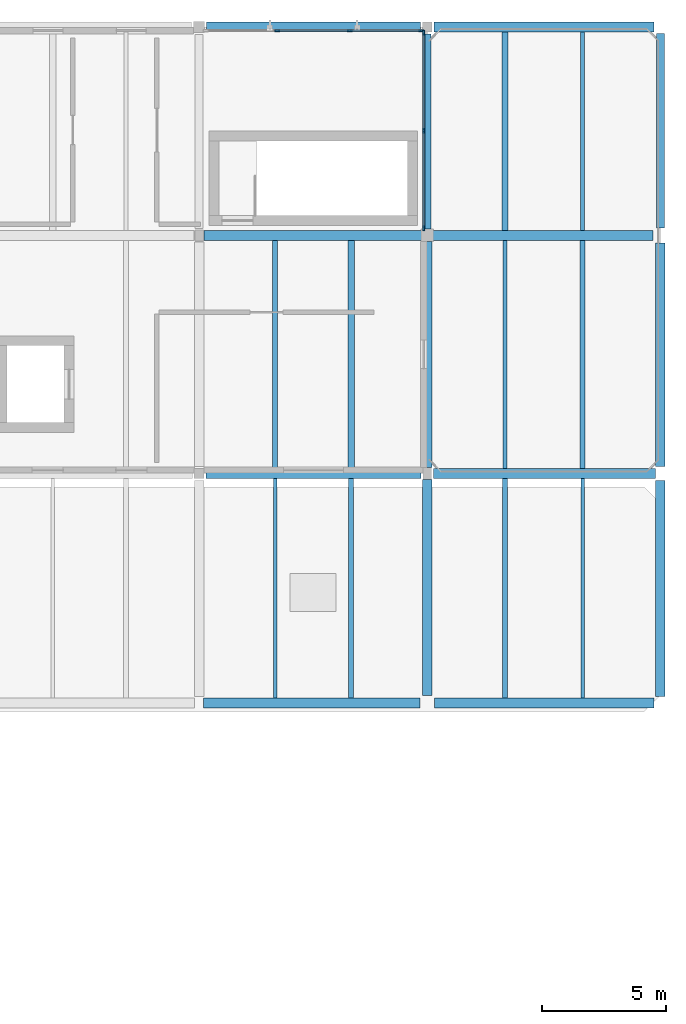
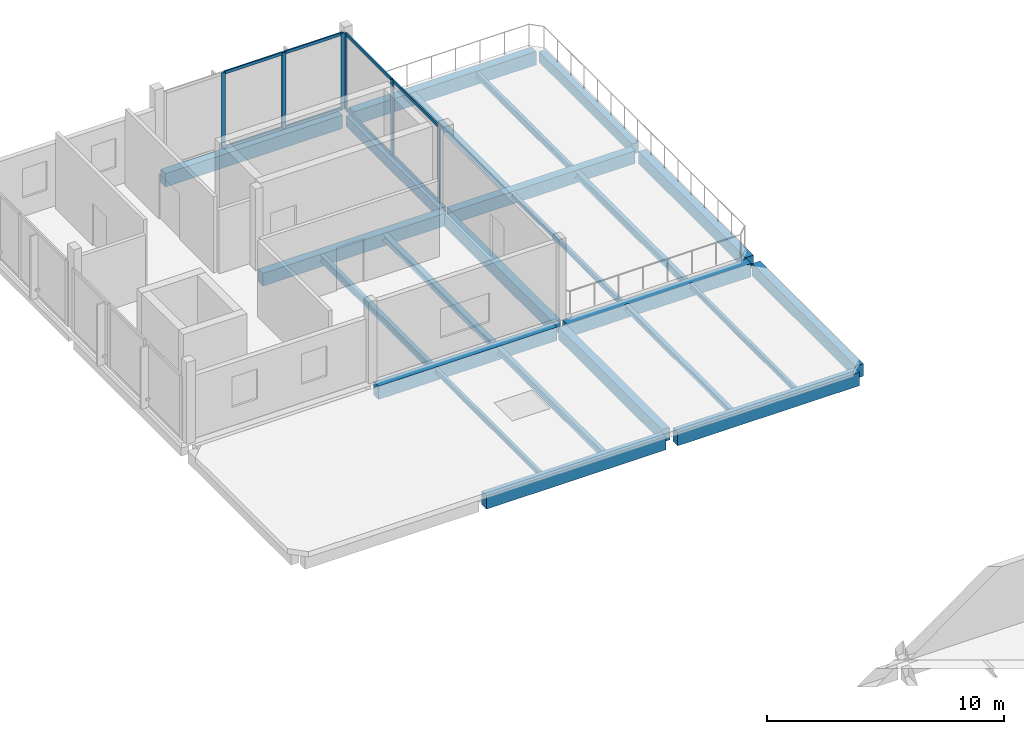
# One storey, part 14 of 35: 24 beams, 14 members, 2 elements without a shape of their own.
"""IFC4 building model written with IfcOpenShell, lengths in metres."""

from ifc_helpers import new_model, si_unit, direction, frame, origin, origin_2d, place, context, subcontext, project, spatial, rectangle, i_section, extrude, material, layer, layer_set, material_profile, profile_set, type_object, element, aggregate, save


model = new_model("IFC4")

# Units and contexts
model_context = context("Model", 3, precision=1e-05, world=origin(), true_north=direction((0.0, 1.0)))
body_context = subcontext(model_context, "Body", "Model", "MODEL_VIEW")
ifc_project = project(units=[si_unit("LENGTHUNIT", "METRE"), si_unit("AREAUNIT", "SQUARE_METRE"), si_unit("VOLUMEUNIT", "CUBIC_METRE"), si_unit("PLANEANGLEUNIT", "RADIAN"), si_unit("MASSUNIT", "GRAM", prefix="KILO")], contexts=[model_context])

# Site, building, storey
site_placement = place(None, origin())
site = spatial("IfcSite", under=ifc_project, at=site_placement, CompositionType="ELEMENT")
building_placement = place(site_placement, origin())
building = spatial("IfcBuilding", under=site, at=building_placement, Name="Birchvale Park Specialist Clinic", CompositionType="ELEMENT")
storey_placement = place(building_placement, frame((0.0, 0.0, 13.800048828125)))
storey = spatial("IfcBuildingStorey", under=building, at=storey_placement, Name="L03", CompositionType="ELEMENT", Elevation=13.800048828125)

# Beams
ifc_material_1 = material(Name="Concrete C40/50", Category="concrete")
ifc_material_profile_1 = material_profile(ifc_material_1, rectangle(XDim=0.39990234375, YDim=0.68994140625, at=origin_2d()), Name="RCB-400x690")
ifc_profile_set_1 = profile_set([ifc_material_profile_1], Name="Concrete C40/50")
beam_type_1 = type_object("IfcBeamType", Name="BM-EXT-BG4", PredefinedType="BEAM", material=ifc_profile_set_1)
beam_1_placement = place(storey_placement, frame((137.385009765625, 63.949951171875, -0.6201171875), z_axis=(1.0, 0.0, 0.0), x_axis=(0.0, 1.0, 0.0)))
element("IfcBeam", 1, at=beam_1_placement, inside=storey, type_object=beam_type_1, Name="V6 L03 X girder 2", PredefinedType="BEAM", context=body_context, shape_type="SweptSolid", body=[
    extrude(rectangle(XDim=0.39990234375, YDim=0.68994140625, at=origin_2d()), origin(), (0.0, 0.0, 1.0), 8.72509765625),
])
beam_2_placement = place(storey_placement, frame((146.68994140625, 63.949951171875, -0.6201171875), z_axis=(1.0, 0.0, 0.0), x_axis=(0.0, 1.0, 0.0)))
element("IfcBeam", 2, at=beam_2_placement, inside=storey, type_object=beam_type_1, Name="V6 L03 X girder 3", PredefinedType="BEAM", context=body_context, shape_type="SweptSolid", body=[
    extrude(rectangle(XDim=0.39990234375, YDim=0.68994140625, at=origin_2d()), origin(), (0.0, 0.0, 1.0), 8.844970703125),
])
beam_3_placement = place(storey_placement, frame((137.47509765625, 73.199951171875, -0.625), z_axis=(1.0, 0.0, 0.0), x_axis=(0.0, 1.0, 0.0)))
element("IfcBeam", 3, at=beam_3_placement, inside=storey, type_object=beam_type_1, Name="V6 L03 X girder 5", PredefinedType="BEAM", context=body_context, shape_type="SweptSolid", body=[
    extrude(rectangle(XDim=0.39990234375, YDim=0.68994140625, at=origin_2d()), origin(), (0.0, 0.0, 1.0), 8.6748046875),
])
beam_4_placement = place(storey_placement, frame((146.64990234375, 73.199951171875, -0.655029296875), z_axis=(1.0, 0.0, 0.0), x_axis=(0.0, 1.0, 0.0)))
element("IfcBeam", 4, at=beam_4_placement, inside=storey, type_object=beam_type_1, Name="V6 L03 X girder 6", PredefinedType="BEAM", context=body_context, shape_type="SweptSolid", body=[
    extrude(rectangle(XDim=0.39990234375, YDim=0.68994140625, at=origin_2d()), origin(), (0.0, 0.0, 1.0), 8.9501953125),
])
beam_5_placement = place(storey_placement, frame((137.5, 91.199951171875, -0.625), z_axis=(1.0, 0.0, 0.0), x_axis=(0.0, 1.0, 0.0)))
element("IfcBeam", 5, at=beam_5_placement, inside=storey, type_object=beam_type_1, Name="V6 L03 X girder 11", PredefinedType="BEAM", context=body_context, shape_type="SweptSolid", body=[
    extrude(rectangle(XDim=0.39990234375, YDim=0.68994140625, at=origin_2d()), origin(), (0.0, 0.0, 1.0), 8.625),
])
beam_6_placement = place(storey_placement, frame((146.675048828125, 91.199951171875, -0.655029296875), z_axis=(1.0, 0.0, 0.0), x_axis=(0.0, 1.0, 0.0)))
element("IfcBeam", 6, at=beam_6_placement, inside=storey, type_object=beam_type_1, Name="V6 L03 X girder 12", PredefinedType="BEAM", context=body_context, shape_type="SweptSolid", body=[
    extrude(rectangle(XDim=0.39990234375, YDim=0.68994140625, at=origin_2d()), origin(), (0.0, 0.0, 1.0), 8.875),
])
ifc_material_profile_2 = material_profile(ifc_material_1, rectangle(XDim=0.3798828125, YDim=0.639892578125, at=origin_2d()), Name="RCB-380x640")
ifc_profile_set_2 = profile_set([ifc_material_profile_2], Name="Concrete C40/50")
beam_type_2 = type_object("IfcBeamType", Name="BM-EXT-BG5", PredefinedType="BEAM", material=ifc_profile_set_2)
beam_7_placement = place(storey_placement, frame((146.39990234375, 64.239990234375, -0.594970703125), z_axis=(0.0, 1.0, 0.0), x_axis=(-1.0, 0.0, 0.0)))
element("IfcBeam", 7, at=beam_7_placement, inside=storey, type_object=beam_type_2, Name="V6 L03 Y girder 19", PredefinedType="BEAM", context=body_context, shape_type="SweptSolid", body=[
    extrude(rectangle(XDim=0.3798828125, YDim=0.639892578125, at=origin_2d()), origin(), (0.0, 0.0, 1.0), 8.7099609375),
])
beam_8_placement = place(storey_placement, frame((146.39990234375, 73.449951171875, -0.630126953125), z_axis=(0.0, 1.0, 0.0), x_axis=(-1.0, 0.0, 0.0)))
element("IfcBeam", 8, at=beam_8_placement, inside=storey, type_object=beam_type_2, Name="V6 L03 Y girder 20", PredefinedType="BEAM", context=body_context, shape_type="SweptSolid", body=[
    extrude(rectangle(XDim=0.3798828125, YDim=0.639892578125, at=origin_2d()), origin(), (0.0, 0.0, 1.0), 9.10009765625),
])
beam_9_placement = place(storey_placement, frame((155.800048828125, 64.215087890625, -0.594970703125), z_axis=(0.0, 1.0, 0.0), x_axis=(-1.0, 0.0, 0.0)))
element("IfcBeam", 9, at=beam_9_placement, inside=storey, type_object=beam_type_2, Name="V6 L03 Y girder 22", PredefinedType="BEAM", context=body_context, shape_type="SweptSolid", body=[
    extrude(rectangle(XDim=0.3798828125, YDim=0.639892578125, at=origin_2d()), origin(), (0.0, 0.0, 1.0), 8.7099609375),
])
beam_10_placement = place(storey_placement, frame((155.800048828125, 73.47509765625, -0.630126953125), z_axis=(0.0, 1.0, 0.0), x_axis=(-1.0, 0.0, 0.0)))
element("IfcBeam", 10, at=beam_10_placement, inside=storey, type_object=beam_type_2, Name="V6 L03 Y girder 23", PredefinedType="BEAM", context=body_context, shape_type="SweptSolid", body=[
    extrude(rectangle(XDim=0.3798828125, YDim=0.639892578125, at=origin_2d()), origin(), (0.0, 0.0, 1.0), 9.02490234375),
])
ifc_material_profile_3 = material_profile(ifc_material_1, rectangle(XDim=0.320068359375, YDim=0.5400390625, at=origin_2d()), Name="RCB-320x540")
ifc_profile_set_3 = profile_set([ifc_material_profile_3], Name="Concrete C40/50")
beam_type_3 = type_object("IfcBeamType", Name="BM-EXT-BG7", PredefinedType="BEAM", material=ifc_profile_set_3)
beam_11_placement = place(storey_placement, frame((146.39990234375, 83.050048828125, -0.580078125), z_axis=(0.0, 1.0, 0.0), x_axis=(-1.0, 0.0, 0.0)))
element("IfcBeam", 11, at=beam_11_placement, inside=storey, type_object=beam_type_3, Name="V6 L03 Y girder 21", PredefinedType="BEAM", context=body_context, shape_type="SweptSolid", body=[
    extrude(rectangle(XDim=0.320068359375, YDim=0.5400390625, at=origin_2d()), origin(), (0.0, 0.0, 1.0), 7.875),
])
beam_12_placement = place(storey_placement, frame((155.800048828125, 83.10009765625, -0.580078125), z_axis=(0.0, 1.0, 0.0), x_axis=(-1.0, 0.0, 0.0)))
element("IfcBeam", 12, at=beam_12_placement, inside=storey, type_object=beam_type_3, Name="V6 L03 Y girder 24", PredefinedType="BEAM", context=body_context, shape_type="SweptSolid", body=[
    extrude(rectangle(XDim=0.320068359375, YDim=0.5400390625, at=origin_2d()), origin(), (0.0, 0.0, 1.0), 7.849853515625),
])
ifc_material_profile_4 = material_profile(ifc_material_1, rectangle(XDim=0.39990234375, YDim=0.64990234375, at=origin_2d()), Name="RCB-400x650")
ifc_profile_set_4 = profile_set([ifc_material_profile_4], Name="Concrete C40/50")
beam_type_4 = type_object("IfcBeamType", Name="BM-INT-BG4", PredefinedType="BEAM", material=ifc_profile_set_4)
beam_13_placement = place(storey_placement, frame((137.39990234375, 82.800048828125, -0.60498046875), z_axis=(1.0, 0.0, 0.0), x_axis=(0.0, 1.0, 0.0)))
element("IfcBeam", 13, at=beam_13_placement, inside=storey, type_object=beam_type_4, Name="V6 L03 X girder 8", PredefinedType="BEAM", context=body_context, shape_type="SweptSolid", body=[
    extrude(rectangle(XDim=0.39990234375, YDim=0.64990234375, at=origin_2d()), origin(), (0.0, 0.0, 1.0), 8.8251953125),
])
beam_14_placement = place(storey_placement, frame((146.574951171875, 82.800048828125, -0.635009765625), z_axis=(1.0, 0.0, 0.0), x_axis=(0.0, 1.0, 0.0)))
element("IfcBeam", 14, at=beam_14_placement, inside=storey, type_object=beam_type_4, Name="V6 L03 X girder 9", PredefinedType="BEAM", context=body_context, shape_type="SweptSolid", body=[
    extrude(rectangle(XDim=0.39990234375, YDim=0.64990234375, at=origin_2d()), origin(), (0.0, 0.0, 1.0), 8.925048828125),
])

# Curtain wall, members
ifc_material_2 = material(Name="Thermally broken anodised aluminium", Category="aluminium")
ifc_layer = layer(ifc_material_2, 0.2099609375)
ifc_layer_set = layer_set([ifc_layer], Name="Thermally broken anodised aluminium")
curtain_wall_type = type_object("IfcCurtainWallType", Name="CW-U3", PredefinedType="USERDEFINED", material=ifc_layer_set)
curtain_wall_1_placement = place(storey_placement, origin())
curtain_wall_1 = element("IfcCurtainWall", 15, at=curtain_wall_1_placement, inside=storey, type_object=curtain_wall_type, Name="V6 L03 glazed curtain wall 130", ObjectType="UNITISED", PredefinedType="USERDEFINED")
ifc_material_profile_5 = material_profile(ifc_material_2, rectangle(XDim=0.070068359375, YDim=0.199951171875, at=origin_2d()), Name="CWM-70x200")
ifc_profile_set_5 = profile_set([ifc_material_profile_5], Name="Thermally broken anodised aluminium")
member_type_1 = type_object("IfcMemberType", Name="CWM3", PredefinedType="MULLION", material=ifc_profile_set_5)
member_1_placement = place(storey_placement, frame((146.2548828125, 83.0849609375, 0.0), z_axis=(0.0, 0.0, 1.0), x_axis=(-1.0, 0.0, 0.0)))
member_1 = element("IfcMember", 16, at=member_1_placement, type_object=member_type_1, Name="CW mullion 1", PredefinedType="MULLION", context=body_context, shape_type="SweptSolid", body=[
    extrude(rectangle(XDim=0.070068359375, YDim=0.199951171875, at=origin_2d()), origin(), (0.0, 0.0, 1.0), 3.919921875),
])
member_2_placement = place(storey_placement, frame((146.2548828125, 87.02490234375, 0.0), z_axis=(0.0, 0.0, 1.0), x_axis=(-1.0, 0.0, 0.0)))
member_2 = element("IfcMember", 17, at=member_2_placement, type_object=member_type_1, Name="CW mullion 2", PredefinedType="MULLION", context=body_context, shape_type="SweptSolid", body=[
    extrude(rectangle(XDim=0.070068359375, YDim=0.199951171875, at=origin_2d()), origin(), (0.0, 0.0, 1.0), 3.919921875),
])
member_3_placement = place(storey_placement, frame((146.2548828125, 90.965087890625, 0.0), z_axis=(0.0, 0.0, 1.0), x_axis=(-1.0, 0.0, 0.0)))
member_3 = element("IfcMember", 18, at=member_3_placement, type_object=member_type_1, Name="CW mullion 3", PredefinedType="MULLION", context=body_context, shape_type="SweptSolid", body=[
    extrude(rectangle(XDim=0.070068359375, YDim=0.199951171875, at=origin_2d()), origin(), (0.0, 0.0, 1.0), 3.919921875),
])

curtain_wall_2_placement = place(storey_placement, origin())
curtain_wall_2 = element("IfcCurtainWall", 19, at=curtain_wall_2_placement, inside=storey, type_object=curtain_wall_type, Name="V6 L03 glazed curtain wall 131", ObjectType="UNITISED", PredefinedType="USERDEFINED")
member_4_placement = place(storey_placement, frame((146.1650390625, 91.054931640625, 0.0), z_axis=(0.0, 0.0, 1.0), x_axis=(0.0, -1.0, 0.0)))
member_4 = element("IfcMember", 20, at=member_4_placement, type_object=member_type_1, Name="CW mullion 1", PredefinedType="MULLION", context=body_context, shape_type="SweptSolid", body=[
    extrude(rectangle(XDim=0.070068359375, YDim=0.199951171875, at=origin_2d()), origin(), (0.0, 0.0, 1.0), 3.919921875),
])
member_5_placement = place(storey_placement, frame((143.27490234375, 91.054931640625, 0.0), z_axis=(0.0, 0.0, 1.0), x_axis=(0.0, -1.0, 0.0)))
member_5 = element("IfcMember", 21, at=member_5_placement, type_object=member_type_1, Name="CW mullion 2", PredefinedType="MULLION", context=body_context, shape_type="SweptSolid", body=[
    extrude(rectangle(XDim=0.070068359375, YDim=0.199951171875, at=origin_2d()), origin(), (0.0, 0.0, 1.0), 3.919921875),
])
member_6_placement = place(storey_placement, frame((140.35009765625, 91.054931640625, 0.0), z_axis=(0.0, 0.0, 1.0), x_axis=(0.0, -1.0, 0.0)))
member_6 = element("IfcMember", 22, at=member_6_placement, type_object=member_type_1, Name="CW mullion 3", PredefinedType="MULLION", context=body_context, shape_type="SweptSolid", body=[
    extrude(rectangle(XDim=0.070068359375, YDim=0.199951171875, at=origin_2d()), origin(), (0.0, 0.0, 1.0), 3.919921875),
])

# Member
ifc_material_profile_6 = material_profile(ifc_material_2, rectangle(XDim=0.070068359375, YDim=0.14990234375, at=origin_2d()), Name="CWT-70x150")
ifc_profile_set_6 = profile_set([ifc_material_profile_6], Name="Thermally broken anodised aluminium")
member_type_2 = type_object("IfcMemberType", Name="CWT3", PredefinedType="USERDEFINED", material=ifc_profile_set_6)
member_7_placement = place(storey_placement, frame((146.2548828125, 83.1201171875, 0.034912109375), z_axis=(0.0, 1.0, 0.0), x_axis=(-1.0, 0.0, 0.0)))
member_7 = element("IfcMember", 23, at=member_7_placement, type_object=member_type_2, Name="CW transom 1.1", ObjectType="TRANSOM", PredefinedType="USERDEFINED", context=body_context, shape_type="SweptSolid", body=[
    extrude(rectangle(XDim=0.070068359375, YDim=0.14990234375, at=origin_2d()), origin(), (0.0, 0.0, 1.0), 3.869873046875),
])

member_8_placement = place(storey_placement, frame((146.2548828125, 83.1201171875, 3.885009765625), z_axis=(0.0, 1.0, 0.0), x_axis=(-1.0, 0.0, 0.0)))
member_8 = element("IfcMember", 24, at=member_8_placement, type_object=member_type_2, Name="CW transom 1.2", ObjectType="TRANSOM", PredefinedType="USERDEFINED", context=body_context, shape_type="SweptSolid", body=[
    extrude(rectangle(XDim=0.070068359375, YDim=0.14990234375, at=origin_2d()), origin(), (0.0, 0.0, 1.0), 3.869873046875),
])

member_9_placement = place(storey_placement, frame((146.2548828125, 87.06005859375, 0.034912109375), z_axis=(0.0, 1.0, 0.0), x_axis=(-1.0, 0.0, 0.0)))
member_9 = element("IfcMember", 25, at=member_9_placement, type_object=member_type_2, Name="CW transom 2.1", ObjectType="TRANSOM", PredefinedType="USERDEFINED", context=body_context, shape_type="SweptSolid", body=[
    extrude(rectangle(XDim=0.070068359375, YDim=0.14990234375, at=origin_2d()), origin(), (0.0, 0.0, 1.0), 3.869873046875),
])

member_10_placement = place(storey_placement, frame((146.2548828125, 87.06005859375, 3.885009765625), z_axis=(0.0, 1.0, 0.0), x_axis=(-1.0, 0.0, 0.0)))
member_10 = element("IfcMember", 26, at=member_10_placement, type_object=member_type_2, Name="CW transom 2.2", ObjectType="TRANSOM", PredefinedType="USERDEFINED", context=body_context, shape_type="SweptSolid", body=[
    extrude(rectangle(XDim=0.070068359375, YDim=0.14990234375, at=origin_2d()), origin(), (0.0, 0.0, 1.0), 3.869873046875),
])

aggregate(curtain_wall_1, [member_1, member_2, member_3, member_7, member_8, member_9, member_10])

member_11_placement = place(storey_placement, frame((146.1298828125, 91.054931640625, 0.034912109375), z_axis=(-1.0, 0.0, 0.0), x_axis=(0.0, -1.0, 0.0)))
member_11 = element("IfcMember", 27, at=member_11_placement, type_object=member_type_2, Name="CW transom 1.1", ObjectType="TRANSOM", PredefinedType="USERDEFINED", context=body_context, shape_type="SweptSolid", body=[
    extrude(rectangle(XDim=0.070068359375, YDim=0.14990234375, at=origin_2d()), origin(), (0.0, 0.0, 1.0), 2.81982421875),
])

member_12_placement = place(storey_placement, frame((146.1298828125, 91.054931640625, 3.885009765625), z_axis=(-1.0, 0.0, 0.0), x_axis=(0.0, -1.0, 0.0)))
member_12 = element("IfcMember", 28, at=member_12_placement, type_object=member_type_2, Name="CW transom 1.2", ObjectType="TRANSOM", PredefinedType="USERDEFINED", context=body_context, shape_type="SweptSolid", body=[
    extrude(rectangle(XDim=0.070068359375, YDim=0.14990234375, at=origin_2d()), origin(), (0.0, 0.0, 1.0), 2.81982421875),
])

member_13_placement = place(storey_placement, frame((143.239990234375, 91.054931640625, 0.034912109375), z_axis=(-1.0, 0.0, 0.0), x_axis=(0.0, -1.0, 0.0)))
member_13 = element("IfcMember", 29, at=member_13_placement, type_object=member_type_2, Name="CW transom 2.1", ObjectType="TRANSOM", PredefinedType="USERDEFINED", context=body_context, shape_type="SweptSolid", body=[
    extrude(rectangle(XDim=0.070068359375, YDim=0.14990234375, at=origin_2d()), origin(), (0.0, 0.0, 1.0), 2.85498046875),
])

member_14_placement = place(storey_placement, frame((143.239990234375, 91.054931640625, 3.885009765625), z_axis=(-1.0, 0.0, 0.0), x_axis=(0.0, -1.0, 0.0)))
member_14 = element("IfcMember", 30, at=member_14_placement, type_object=member_type_2, Name="CW transom 2.2", ObjectType="TRANSOM", PredefinedType="USERDEFINED", context=body_context, shape_type="SweptSolid", body=[
    extrude(rectangle(XDim=0.070068359375, YDim=0.14990234375, at=origin_2d()), origin(), (0.0, 0.0, 1.0), 2.85498046875),
])

aggregate(curtain_wall_2, [member_4, member_5, member_6, member_11, member_12, member_13, member_14])

# Beams
ifc_material_3 = material(Name="Steel ASTM A992 Grade 50", Category="steel")
ifc_material_profile_7 = material_profile(ifc_material_3, i_section(OverallWidth=0.2041015625, OverallDepth=0.35107421875, WebThickness=0.008544921875, FlangeThickness=0.01513671875, at=origin_2d()), Name="W14X48")
ifc_profile_set_7 = profile_set([ifc_material_profile_7], Name="Steel ASTM A992 Grade 50")
beam_type_5 = type_object("IfcBeamType", Name="STL-INT-SJ1", PredefinedType="JOIST", material=ifc_profile_set_7)
beam_15_placement = place(storey_placement, frame((143.333251953125, 64.14990234375, -0.450439453125), z_axis=(0.0, 1.0, 0.0), x_axis=(-1.0, 0.0, 0.0)))
element("IfcBeam", 31, at=beam_15_placement, inside=storey, type_object=beam_type_5, Name="V6 L03 secondary floor joist 7", PredefinedType="JOIST", context=body_context, shape_type="SweptSolid", body=[
    extrude(i_section(OverallWidth=0.2041015625, OverallDepth=0.35107421875, WebThickness=0.008544921875, FlangeThickness=0.01513671875, at=origin_2d()), origin(), (0.0, 0.0, 1.0), 8.85009765625),
])
for number, where, z_axis, x_axis, name in (
    (32, (140.2666015625, 73.39990234375, -0.45556640625), (0.0, 1.0, 0.0), (-1.0, 0.0, 0.0), "V6 L03 secondary floor joist 8"),
    (33, (152.666748046875, 73.39990234375, -0.485595703125), (0.0, 1.0, 0.0), (-1.0, 0.0, 0.0), "V6 L03 secondary floor joist 13"),
):
    element("IfcBeam", number, at=place(storey_placement, frame(where, z_axis=z_axis, x_axis=x_axis)), inside=storey, type_object=beam_type_5, Name=name, PredefinedType="JOIST", context=body_context, shape_type="SweptSolid", body=[
        extrude(i_section(OverallWidth=0.2041015625, OverallDepth=0.35107421875, WebThickness=0.008544921875, FlangeThickness=0.01513671875, at=origin_2d()), origin(), (0.0, 0.0, 1.0), 9.2001953125),
    ])
ifc_material_profile_8 = material_profile(ifc_material_3, i_section(OverallWidth=0.25390625, OverallDepth=0.305908203125, WebThickness=0.0087890625, FlangeThickness=0.0146484375, at=origin_2d()), Name="W12X53")
ifc_profile_set_8 = profile_set([ifc_material_profile_8], Name="Steel ASTM A992 Grade 50")
beam_type_6 = type_object("IfcBeamType", Name="STL-INT-SJ2", PredefinedType="JOIST", material=ifc_profile_set_8)
beam_16_placement = place(storey_placement, frame((143.333251953125, 73.39990234375, -0.43310546875), z_axis=(0.0, 1.0, 0.0), x_axis=(-1.0, 0.0, 0.0)))
element("IfcBeam", 34, at=beam_16_placement, inside=storey, type_object=beam_type_6, Name="V6 L03 secondary floor joist 9", PredefinedType="JOIST", context=body_context, shape_type="SweptSolid", body=[
    extrude(i_section(OverallWidth=0.25390625, OverallDepth=0.305908203125, WebThickness=0.0087890625, FlangeThickness=0.0146484375, at=origin_2d()), origin(), (0.0, 0.0, 1.0), 9.2001953125),
])
beam_17_placement = place(storey_placement, frame((149.533203125, 83.0, -0.463134765625), z_axis=(0.0, 1.0, 0.0), x_axis=(-1.0, 0.0, 0.0)))
element("IfcBeam", 35, at=beam_17_placement, inside=storey, type_object=beam_type_6, Name="V6 L03 secondary floor joist 14", PredefinedType="JOIST", context=body_context, shape_type="SweptSolid", body=[
    extrude(i_section(OverallWidth=0.25390625, OverallDepth=0.305908203125, WebThickness=0.0087890625, FlangeThickness=0.0146484375, at=origin_2d()), origin(), (0.0, 0.0, 1.0), 8.0),
])
ifc_material_profile_9 = material_profile(ifc_material_3, i_section(OverallWidth=0.1669921875, OverallDepth=0.31689453125, WebThickness=0.007568359375, FlangeThickness=0.01318359375, at=origin_2d()), Name="W12X35")
ifc_profile_set_9 = profile_set([ifc_material_profile_9], Name="Steel ASTM A992 Grade 50")
beam_type_7 = type_object("IfcBeamType", Name="STL-INT-SJ3", PredefinedType="JOIST", material=ifc_profile_set_9)
beam_18_placement = place(storey_placement, frame((152.666748046875, 83.0, -0.468505859375), z_axis=(0.0, 1.0, 0.0), x_axis=(-1.0, 0.0, 0.0)))
element("IfcBeam", 36, at=beam_18_placement, inside=storey, type_object=beam_type_7, Name="V6 L03 secondary floor joist 15", PredefinedType="JOIST", context=body_context, shape_type="SweptSolid", body=[
    extrude(i_section(OverallWidth=0.1669921875, OverallDepth=0.31689453125, WebThickness=0.007568359375, FlangeThickness=0.01318359375, at=origin_2d()), origin(), (0.0, 0.0, 1.0), 8.0),
])
ifc_material_profile_10 = material_profile(ifc_material_3, i_section(OverallWidth=0.202880859375, OverallDepth=0.251953125, WebThickness=0.008056640625, FlangeThickness=0.013427734375, at=origin_2d()), Name="W10X39")
ifc_profile_set_10 = profile_set([ifc_material_profile_10], Name="Steel ASTM A992 Grade 50")
beam_type_8 = type_object("IfcBeamType", Name="STL-INT-SJ4", PredefinedType="JOIST", material=ifc_profile_set_10)
beam_19_placement = place(storey_placement, frame((149.533203125, 64.14990234375, -0.401123046875), z_axis=(0.0, 1.0, 0.0), x_axis=(-1.0, 0.0, 0.0)))
element("IfcBeam", 37, at=beam_19_placement, inside=storey, type_object=beam_type_8, Name="V6 L03 secondary floor joist 10", PredefinedType="JOIST", context=body_context, shape_type="SweptSolid", body=[
    extrude(i_section(OverallWidth=0.202880859375, OverallDepth=0.251953125, WebThickness=0.008056640625, FlangeThickness=0.013427734375, at=origin_2d()), origin(), (0.0, 0.0, 1.0), 8.85009765625),
])
ifc_material_profile_11 = material_profile(ifc_material_3, i_section(OverallWidth=0.14697265625, OverallDepth=0.261962890625, WebThickness=0.006591796875, FlangeThickness=0.01123046875, at=origin_2d()), Name="W10X26")
ifc_profile_set_11 = profile_set([ifc_material_profile_11], Name="Steel ASTM A992 Grade 50")
beam_type_9 = type_object("IfcBeamType", Name="STL-INT-SJ5", PredefinedType="JOIST", material=ifc_profile_set_11)
for number, where, z_axis, x_axis, name in (
    (38, (140.2666015625, 64.14990234375, -0.406005859375), (0.0, 1.0, 0.0), (-1.0, 0.0, 0.0), "V6 L03 secondary floor joist 6"),
    (39, (152.666748046875, 64.14990234375, -0.406005859375), (0.0, 1.0, 0.0), (-1.0, 0.0, 0.0), "V6 L03 secondary floor joist 11"),
):
    element("IfcBeam", number, at=place(storey_placement, frame(where, z_axis=z_axis, x_axis=x_axis)), inside=storey, type_object=beam_type_9, Name=name, PredefinedType="JOIST", context=body_context, shape_type="SweptSolid", body=[
        extrude(i_section(OverallWidth=0.14697265625, OverallDepth=0.261962890625, WebThickness=0.006591796875, FlangeThickness=0.01123046875, at=origin_2d()), origin(), (0.0, 0.0, 1.0), 8.85009765625),
    ])
beam_20_placement = place(storey_placement, frame((149.533203125, 73.39990234375, -0.441162109375), z_axis=(0.0, 1.0, 0.0), x_axis=(-1.0, 0.0, 0.0)))
element("IfcBeam", 40, at=beam_20_placement, inside=storey, type_object=beam_type_9, Name="V6 L03 secondary floor joist 12", PredefinedType="JOIST", context=body_context, shape_type="SweptSolid", body=[
    extrude(i_section(OverallWidth=0.14697265625, OverallDepth=0.261962890625, WebThickness=0.006591796875, FlangeThickness=0.01123046875, at=origin_2d()), origin(), (0.0, 0.0, 1.0), 9.2001953125),
])

save(model, "model.ifc")
